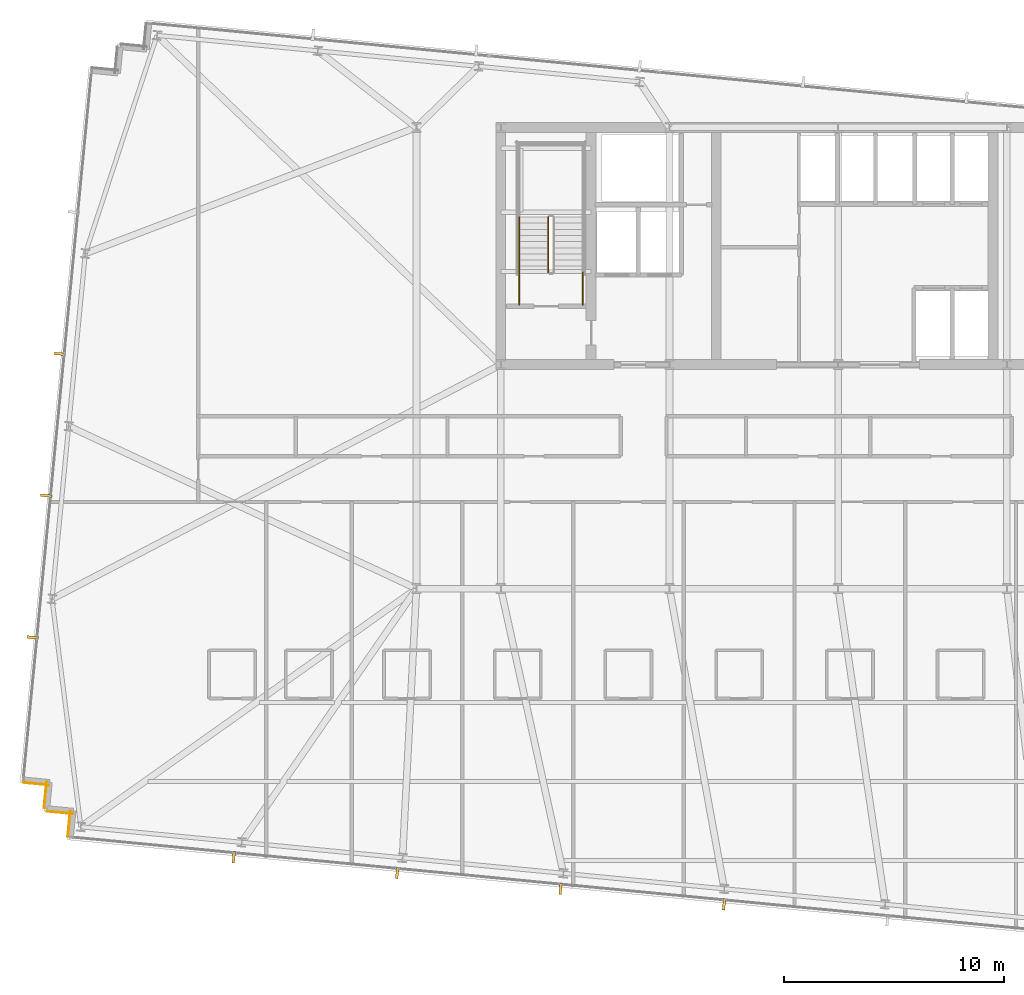
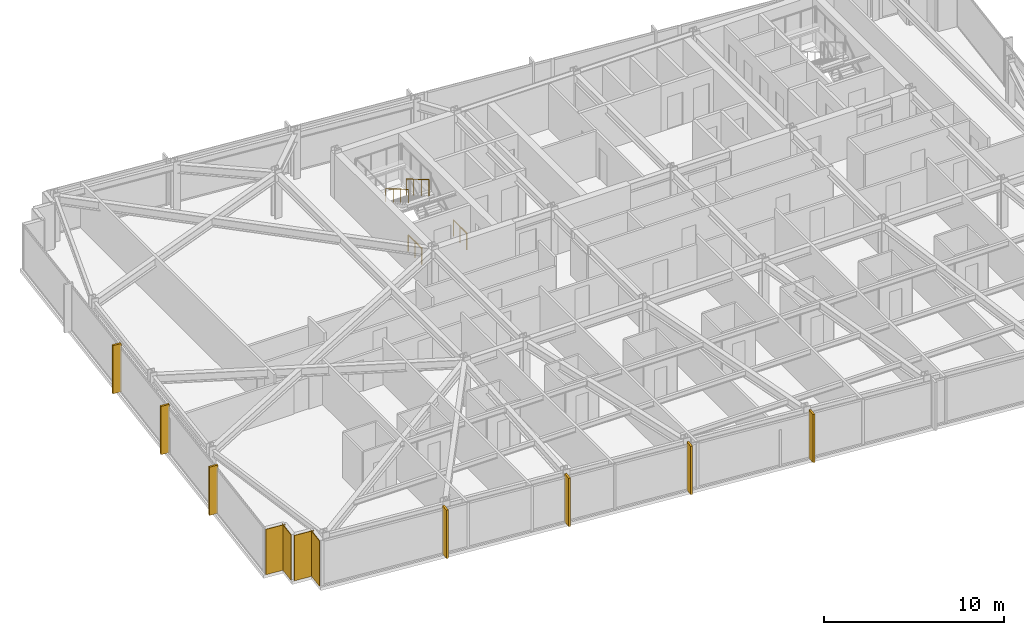
# One storey, part 33 of 37: 7 shading devices, 4 coverings, 4 railings.
"""IFC4 building model written with IfcOpenShell, lengths in metres."""

from ifc_helpers import new_model, si_unit, direction, frame, frame_2d, origin, origin_2d, place, context, subcontext, project, spatial, rectangle, circle, extrude, material, layer, layer_set, type_object, element, save


model = new_model("IFC4")

# Units and contexts
model_context = context("Model", 3, precision=1e-05, world=origin(), true_north=direction((0.0, 1.0)))
body_context = subcontext(model_context, "Body", "Model", "MODEL_VIEW")
ifc_project = project(units=[si_unit("LENGTHUNIT", "METRE"), si_unit("AREAUNIT", "SQUARE_METRE"), si_unit("VOLUMEUNIT", "CUBIC_METRE"), si_unit("PLANEANGLEUNIT", "RADIAN"), si_unit("MASSUNIT", "GRAM", prefix="KILO")], contexts=[model_context])

# Site, building, storey
site_placement = place(None, origin())
site = spatial("IfcSite", under=ifc_project, at=site_placement, CompositionType="ELEMENT")
building_placement = place(site_placement, origin())
building = spatial("IfcBuilding", under=site, at=building_placement, Name="Yelkora Congress Tower", CompositionType="ELEMENT")
storey_placement = place(building_placement, frame((0.0, 0.0, 182.0)))
storey = spatial("IfcBuildingStorey", under=building, at=storey_placement, Name="L50", CompositionType="ELEMENT", Elevation=182.0)

# Coverings
ifc_material_1 = material(Name="Anatolian bush-hammered limestone", Category="masonry")
ifc_layer_1 = layer(ifc_material_1, 0.0400390625)
ifc_layer_set_1 = layer_set([ifc_layer_1], Name="Anatolian bush-hammered limestone")
covering_type = type_object("IfcCoveringType", Name="COV-CLAD-SPANDREL-40", PredefinedType="CLADDING", material=ifc_layer_set_1)
covering_1_placement = place(storey_placement, frame((3.327880859375, 13.90185546875, 0.0), z_axis=(0.0, 0.0, 1.0), x_axis=(0.095817067274, 0.995398960025, 0.0)))
element("IfcCovering", 1, at=covering_1_placement, inside=storey, type_object=covering_type, Name="L50 Anatolian Limestone Cladding EW-L50-SR01", PredefinedType="CLADDING", context=body_context, shape_type="SweptSolid", body=[
    extrude(rectangle(XDim=1.2001953125, YDim=0.0400390625, at=frame_2d((0.60009765625, 0.0))), origin(), (0.0, 0.0, 1.0), 3.080078125),
])
covering_2_placement = place(storey_placement, frame((3.564208984375, 14.94921875, 0.0), z_axis=(0.0, 0.0, 1.0), x_axis=(-0.995397091755, 0.095836473879, 0.0)))
element("IfcCovering", 2, at=covering_2_placement, inside=storey, type_object=covering_type, Name="L50 Anatolian Limestone Cladding EW-L50-SR02", PredefinedType="CLADDING", context=body_context, shape_type="SweptSolid", body=[
    extrude(rectangle(XDim=1.199951171875, YDim=0.0400390625, at=frame_2d((0.60009765625, 0.0))), origin(), (0.0, 0.0, 1.0), 3.080078125),
])
for number, where, z_axis, x_axis, name in (
    (3, (2.248291015625, 15.21142578125, 0.0), (0.0, 0.0, 1.0), (0.095817067274, 0.995398960025, 0.0), "L50 Anatolian Limestone Cladding EW-L50-SR03"),
    (4, (2.48486328125, 16.258544921875, 0.0), (0.0, 0.0, 1.0), (-0.995398960025, 0.095817067274, 0.0), "L50 Anatolian Limestone Cladding EW-L50-SR04"),
):
    element("IfcCovering", number, at=place(storey_placement, frame(where, z_axis=z_axis, x_axis=x_axis)), inside=storey, type_object=covering_type, Name=name, PredefinedType="CLADDING", context=body_context, shape_type="SweptSolid", body=[
        extrude(rectangle(XDim=1.2001953125, YDim=0.0400390625, at=frame_2d((0.60009765625, 0.0))), origin(), (0.0, 0.0, 1.0), 3.080078125),
    ])

# Railings
ifc_material_2 = material(Name="Painted galvanised steel stair well guard with vertical infill", Category="steel")
ifc_layer_2 = layer(ifc_material_2, 0.06005859375)
ifc_layer_set_2 = layer_set([ifc_layer_2], Name="Painted galvanised steel stair well guard with vertical infill")
railing_type_1 = type_object("IfcRailingType", Name="RAIL-STAIR-GUARD-1120", PredefinedType="GUARDRAIL", material=ifc_layer_set_2)
railing_1_placement = place(storey_placement, frame((25.18994140625, 42.1201171875, 1.81494140625)))
element("IfcRailing", 5, at=railing_1_placement, inside=storey, type_object=railing_type_1, Name="ST-01 L50 Stair Well Guardrail 6", PredefinedType="GUARDRAIL", context=body_context, shape_type="SweptSolid", body=[
    extrude(circle(Radius=0.02392578125, at=origin_2d()), frame((0.0, 0.0, 1.09619140625), z_axis=(0.0, -0.86152411907, 0.507716645641), x_axis=(1.0, 0.0, 0.0)), (0.0, 0.0, 1.0), 2.925048828125),
    extrude(circle(Radius=0.02099609375, at=origin_2d()), origin(), (0.0, 0.0, 1.0), 1.072021484375),
    extrude(circle(Radius=0.02099609375, at=origin_2d()), frame((0.0, -0.840087890625, 0.4951171875)), (0.0, 0.0, 1.0), 1.072021484375),
    extrude(circle(Radius=0.02099609375, at=origin_2d()), frame((0.0, -1.679931640625, 0.989990234375)), (0.0, 0.0, 1.0), 1.072021484375),
    extrude(circle(Radius=0.02099609375, at=origin_2d()), frame((0.0, -2.52001953125, 1.485107421875)), (0.0, 0.0, 1.0), 1.072021484375),
])
for number, where, name in (
    (6, (26.77001953125, 38.1201171875, 0.0), "ST-01 L50 Stair Well Guardrail 8"),
    (7, (23.8701171875, 38.1201171875, 0.0), "ST-01 L50 Stair Well Guardrail 9"),
):
    element("IfcRailing", number, at=place(storey_placement, frame(where)), inside=storey, type_object=railing_type_1, Name=name, PredefinedType="GUARDRAIL", context=body_context, shape_type="SweptSolid", body=[
        extrude(circle(Radius=0.02392578125, at=origin_2d()), frame((0.0, 0.0, 1.09619140625), z_axis=(0.0, 1.0, 0.0), x_axis=(-1.0, 0.0, 0.0)), (0.0, 0.0, 1.0), 1.47998046875),
        extrude(circle(Radius=0.02099609375, at=origin_2d()), origin(), (0.0, 0.0, 1.0), 1.072021484375),
        extrude(circle(Radius=0.02099609375, at=origin_2d()), frame((0.0, 0.739990234375, 0.0)), (0.0, 0.0, 1.0), 1.072021484375),
        extrude(circle(Radius=0.02099609375, at=origin_2d()), frame((0.0, 1.47998046875, 0.0)), (0.0, 0.0, 1.0), 1.072021484375),
    ])
ifc_material_3 = material(Name="Brushed stainless steel tubular handrail", Category="steel")
ifc_layer_3 = layer(ifc_material_3, 0.050048828125)
ifc_layer_set_3 = layer_set([ifc_layer_3], Name="Brushed stainless steel tubular handrail")
railing_type_2 = type_object("IfcRailingType", Name="RAIL-STAIR-HAND-920", PredefinedType="HANDRAIL", material=ifc_layer_set_3)
railing_2_placement = place(storey_placement, frame((23.8701171875, 42.1201171875, 1.81494140625)))
element("IfcRailing", 8, at=railing_2_placement, inside=storey, type_object=railing_type_2, Name="ST-01 L50 Pitch Handrail 2", PredefinedType="HANDRAIL", context=body_context, shape_type="SweptSolid", body=[
    extrude(circle(Radius=0.02392578125, at=origin_2d()), frame((0.0, 0.0, 0.89599609375), z_axis=(0.0, -0.86152411907, 0.507716645641), x_axis=(1.0, 0.0, 0.0)), (0.0, 0.0, 1.0), 2.925048828125),
    extrude(circle(Radius=0.02099609375, at=origin_2d()), origin(), (0.0, 0.0, 1.0), 0.871826171875),
    extrude(circle(Radius=0.02099609375, at=origin_2d()), frame((0.0, -0.840087890625, 0.4951171875)), (0.0, 0.0, 1.0), 0.871826171875),
    extrude(circle(Radius=0.02099609375, at=origin_2d()), frame((0.0, -1.679931640625, 0.989990234375)), (0.0, 0.0, 1.0), 0.871826171875),
    extrude(circle(Radius=0.02099609375, at=origin_2d()), frame((0.0, -2.52001953125, 1.485107421875)), (0.0, 0.0, 1.0), 0.871826171875),
])

# Shading devices
ifc_material_4 = material(Name="Champagne anodised aluminium", Category="aluminium")
ifc_layer_4 = layer(ifc_material_4, 3.300048828125)
ifc_layer_set_4 = layer_set([ifc_layer_4], Name="Champagne anodised aluminium")
shading_device_type = type_object("IfcShadingDeviceType", Name="SHD-FIN-ALU-520", PredefinedType="USERDEFINED", material=ifc_layer_set_4)
for number, where, z_axis, x_axis, name in (
    (9, (1.7255859375, 22.981201171875, -0.02978515625), (0.0, 0.0, 1.0), (0.09584575252, 0.995396198367, 0.0), "L50 Vertical Anodised Solar Fin 5-1"),
    (10, (2.34716796875, 29.435302734375, -0.02978515625), (0.0, 0.0, 1.0), (0.09584575252, 0.995396198367, 0.0), "L50 Vertical Anodised Solar Fin 5-2"),
    (11, (2.968505859375, 35.889404296875, -0.02978515625), (0.0, 0.0, 1.0), (0.09584575252, 0.995396198367, 0.0), "L50 Vertical Anodised Solar Fin 5-3"),
    (12, (33.202392578125, 10.82421875, -0.02978515625), (0.0, 0.0, 1.0), (-0.995396198367, 0.09584575252, 0.0), "L50 Vertical Anodised Solar Fin 20-3"),
    (13, (25.7626953125, 11.540771484375, -0.02978515625), (0.0, 0.0, 1.0), (-0.995396198367, 0.09584575252, 0.0), "L50 Vertical Anodised Solar Fin 20-4"),
    (14, (18.32275390625, 12.257080078125, -0.02978515625), (0.0, 0.0, 1.0), (-0.995396198367, 0.09584575252, 0.0), "L50 Vertical Anodised Solar Fin 20-5"),
    (15, (10.8828125, 12.973388671875, -0.02978515625), (0.0, 0.0, 1.0), (-0.995396198367, 0.09584575252, 0.0), "L50 Vertical Anodised Solar Fin 20-6"),
):
    element("IfcShadingDevice", number, at=place(storey_placement, frame(where, z_axis=z_axis, x_axis=x_axis)), inside=storey, type_object=shading_device_type, Name=name, ObjectType="FIN", PredefinedType="USERDEFINED", context=body_context, shape_type="SweptSolid", body=[
        extrude(rectangle(XDim=0.1201171875, YDim=0.52001953125, at=origin_2d()), origin(), (0.0, 0.0, 1.0), 3.280029296875),
    ])

save(model, "model.ifc")
